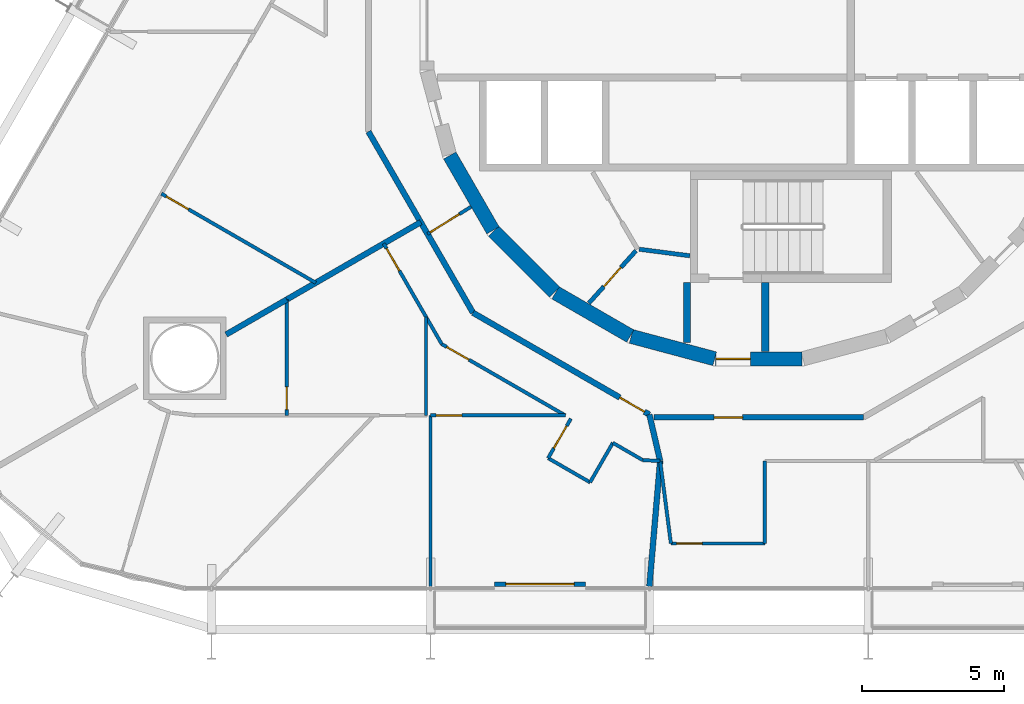
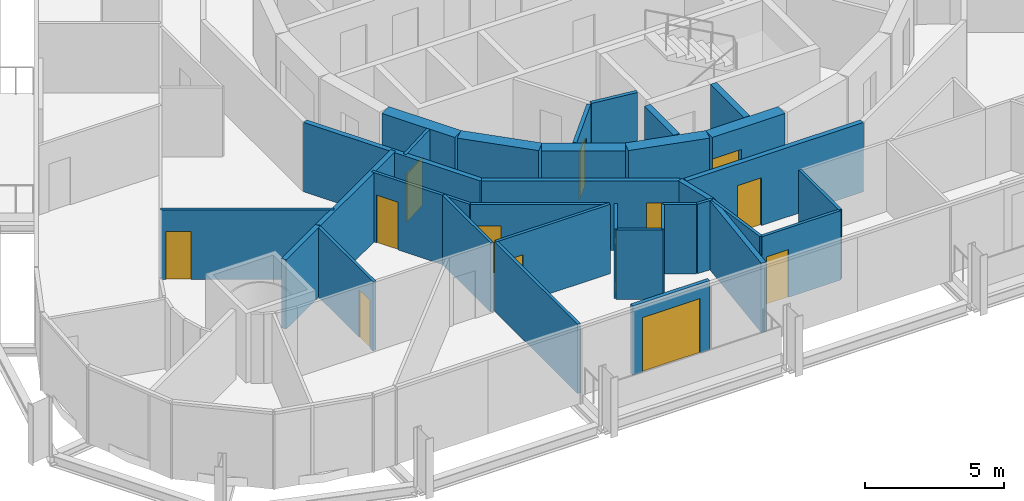
# One storey, part 13 of 20: 33 walls, 13 doors, 13 openings.
"""IFC4 building model written with IfcOpenShell, lengths in metres."""

from ifc_helpers import new_model, si_unit, direction, frame, frame_2d, origin, place, context, subcontext, project, spatial, rectangle, extrude, material, layer, layer_set, type_object, element, fill, save


model = new_model("IFC4")

# Units and contexts
model_context = context("Model", 3, precision=1e-05, world=origin(), true_north=direction((0.0, 1.0)))
body_context = subcontext(model_context, "Body", "Model", "MODEL_VIEW")
ifc_project = project(units=[si_unit("LENGTHUNIT", "METRE"), si_unit("AREAUNIT", "SQUARE_METRE"), si_unit("VOLUMEUNIT", "CUBIC_METRE"), si_unit("PLANEANGLEUNIT", "RADIAN"), si_unit("MASSUNIT", "GRAM", prefix="KILO")], contexts=[model_context])

# Site, building, storey
site_placement = place(None, origin())
site = spatial("IfcSite", under=ifc_project, at=site_placement, CompositionType="ELEMENT")
building_placement = place(site_placement, origin())
building = spatial("IfcBuilding", under=site, at=building_placement, Name="Spindle Arch Residences", CompositionType="ELEMENT")
storey_placement = place(building_placement, frame((0.0, 0.0, 66.39990234375)))
storey = spatial("IfcBuildingStorey", under=building, at=storey_placement, Name="L15", CompositionType="ELEMENT", Elevation=66.39990234375)

# Walls
ifc_material_1 = material(Name="Concrete C50/60", Category="concrete")
ifc_layer_1 = layer(ifc_material_1, 0.5)
ifc_layer_set_1 = layer_set([ifc_layer_1], Name="Core outline wall 500")
wall_type_1 = type_object("IfcWallType", Name="Core outline wall 500", PredefinedType="SHEAR", material=ifc_layer_set_1)
wall_1_placement = place(storey_placement, frame((-10.84521484375, -4.510498046875, 0.0), z_axis=(0.0, 0.0, 1.0), x_axis=(0.500087131594, -0.865975092491, 0.0)))
element("IfcWall", 1, at=wall_1_placement, inside=storey, type_object=wall_type_1, Name="Core outline wall 20", PredefinedType="SHEAR", context=body_context, shape_type="SweptSolid", body=[
    extrude(rectangle(XDim=3.03271484375, YDim=0.5, at=frame_2d((1.516357421875, 0.0))), origin(), (0.0, 0.0, 1.0), 3.050048828125),
])
wall_2_placement = place(storey_placement, frame((-9.30810546875, -7.163818359375, 0.0), z_axis=(0.0, 0.0, 1.0), x_axis=(0.707106781187, -0.707106781187, 0.0)))
element("IfcWall", 2, at=wall_2_placement, inside=storey, type_object=wall_type_1, Name="Core outline wall 21", PredefinedType="SHEAR", context=body_context, shape_type="SweptSolid", body=[
    extrude(rectangle(XDim=3.032470703125, YDim=0.5, at=frame_2d((1.51611328125, 0.0))), origin(), (0.0, 0.0, 1.0), 3.050048828125),
])
for number, where, z_axis, x_axis, name in (
    (3, (-7.13671875, -9.32861328125, 0.0), (0.0, 0.0, 1.0), (0.865975092491, -0.500087131594, 0.0), "Core outline wall 22"),
    (4, (-4.479248046875, -10.858154296875, 0.0), (0.0, 0.0, 1.0), (0.965948410781, -0.258734743916, 0.0), "Core outline wall 23"),
):
    element("IfcWall", number, at=place(storey_placement, frame(where, z_axis=z_axis, x_axis=x_axis)), inside=storey, type_object=wall_type_1, Name=name, PredefinedType="SHEAR", context=body_context, shape_type="SweptSolid", body=[
        extrude(rectangle(XDim=3.03271484375, YDim=0.5, at=frame_2d((1.516357421875, 0.0))), origin(), (0.0, 0.0, 1.0), 3.050048828125),
    ])

# Wall, opening, door
wall_3_placement = place(storey_placement, frame((-1.516357421875, -11.647216796875, 0.0), z_axis=(0.0, 0.0, 1.0), x_axis=(1.0, 0.0, 0.0)))
wall_3 = element("IfcWall", 5, at=wall_3_placement, inside=storey, type_object=wall_type_1, Name="Core outline wall 24", PredefinedType="SHEAR", context=body_context, shape_type="SweptSolid", body=[
    extrude(rectangle(XDim=3.03271484375, YDim=0.5, at=frame_2d((1.516357421875, 0.0))), origin(), (0.0, 0.0, 1.0), 3.050048828125),
])
opening_1_placement = place(wall_3_placement, frame((0.016357421875, 0.0, 0.0)))
opening_1 = element("IfcOpeningElement", 6, at=opening_1_placement, cuts=wall_3, Name="Opening R1C0-AD03", PredefinedType="OPENING", context=body_context, shape_type="SweptSolid", body=[
    extrude(rectangle(XDim=1.199951171875, YDim=2.10009765625, at=frame_2d((0.60009765625, 1.050048828125))), frame((0.0, 0.260009765625, 0.0), z_axis=(0.0, -1.0, 0.0), x_axis=(1.0, 0.0, 0.0)), (0.0, 0.0, 1.0), 0.52001953125),
])
ifc_material_2 = material(Name="Steel, fire-resisting door", Category="steel")
door_type_1 = type_object("IfcDoorType", Name="Stair airlock door 1200x2100", OperationType="SINGLE_SWING_LEFT", PredefinedType="DOOR", material=ifc_material_2)
door_1_placement = place(opening_1_placement, origin())
door_1 = element("IfcDoor", 7, at=door_1_placement, inside=storey, type_object=door_type_1, Name="Stair airlock door R1C0-AD03", OperationType="SINGLE_SWING_RIGHT", OverallHeight=2.10009765625, OverallWidth=1.199951171875, PredefinedType="DOOR", context=body_context, shape_type="SweptSolid", body=[
    extrude(rectangle(XDim=1.199951171875, YDim=2.10009765625, at=frame_2d((0.60009765625, 1.050048828125))), frame((0.0, 0.02490234375, 0.0), z_axis=(0.0, -1.0, 0.0), x_axis=(1.0, 0.0, 0.0)), (0.0, 0.0, 1.0), 0.050048828125),
])
fill(opening_1, door_1)

ifc_material_3 = material(Name="Plasterboard on steel studs", Category="steel")
ifc_layer_2 = layer(ifc_material_3, 0.1201171875)
ifc_layer_set_2 = layer_set([ifc_layer_2], Name="Corridor division wall 120")
wall_type_2 = type_object("IfcWallType", Name="Corridor division wall 120", PredefinedType="PARTITIONING", material=ifc_layer_set_2)
wall_4_placement = place(storey_placement, frame((-11.625244140625, -7.264404296875, 0.0), z_axis=(0.0, 0.0, 1.0), x_axis=(0.84803632456, 0.529938102259, 0.0)))
wall_4 = element("IfcWall", 8, at=wall_4_placement, inside=storey, type_object=wall_type_2, Name="Corridor division wall R1C0-W003", PredefinedType="PARTITIONING", context=body_context, shape_type="SweptSolid", body=[
    extrude(rectangle(XDim=1.8037109375, YDim=0.1201171875, at=frame_2d((0.90185546875, 0.0))), origin(), (0.0, 0.0, 1.0), 3.050048828125),
])
opening_2_placement = place(wall_4_placement, frame((0.110107421875, 0.0, 0.0)))
opening_2 = element("IfcOpeningElement", 9, at=opening_2_placement, cuts=wall_4, Name="Opening R1C0-CD03", PredefinedType="OPENING", context=body_context, shape_type="SweptSolid", body=[
    extrude(rectangle(XDim=1.199951171875, YDim=2.10009765625, at=frame_2d((0.60009765625, 1.050048828125))), frame((0.0, 0.070068359375, 0.0), z_axis=(0.0, -1.0, 0.0), x_axis=(1.0, 0.0, 0.0)), (0.0, 0.0, 1.0), 0.14013671875),
])
ifc_material_4 = material(Name="Steel, fire-resisting door", Category="steel")
door_type_2 = type_object("IfcDoorType", Name="Corridor division door 1200x2100", OperationType="NOTDEFINED", PredefinedType="DOOR", material=ifc_material_4)
door_2_placement = place(opening_2_placement, origin())
door_2 = element("IfcDoor", 10, at=door_2_placement, inside=storey, type_object=door_type_2, Name="Corridor division door R1C0-CD03", OperationType="DOUBLE_DOOR_SINGLE_SWING", OverallHeight=2.10009765625, OverallWidth=1.199951171875, PredefinedType="DOOR", context=body_context, shape_type="SweptSolid", body=[
    extrude(rectangle(XDim=1.199951171875, YDim=2.10009765625, at=frame_2d((0.60009765625, 1.050048828125))), frame((0.0, 0.02490234375, 0.0), z_axis=(0.0, -1.0, 0.0), x_axis=(1.0, 0.0, 0.0)), (0.0, 0.0, 1.0), 0.050048828125),
])
fill(opening_2, door_2)

# Wall
ifc_material_5 = material(Name="Calcium silicate block, plastered")
ifc_layer_3 = layer(ifc_material_5, 0.199951171875)
ifc_layer_set_3 = layer_set([ifc_layer_3], Name="Corridor wall 200")
wall_type_3 = type_object("IfcWallType", Name="Corridor wall 200", PredefinedType="STANDARD", material=ifc_layer_set_3)
wall_5_placement = place(storey_placement, frame((-13.699951171875, -3.6708984375, 0.0), z_axis=(0.0, 0.0, 1.0), x_axis=(0.500001669485, -0.866024439905, 0.0)))
element("IfcWall", 11, at=wall_5_placement, inside=storey, type_object=wall_type_3, Name="Corridor wall R1C0-W012", PredefinedType="STANDARD", context=body_context, shape_type="SweptSolid", body=[
    extrude(rectangle(XDim=7.341796875, YDim=0.199951171875, at=frame_2d((3.6708984375, 0.0))), origin(), (0.0, 0.0, 1.0), 3.050048828125),
])

# Wall, opening, door
wall_6_placement = place(storey_placement, frame((-10.029052734375, -10.029052734375, 0.0), z_axis=(0.0, 0.0, 1.0), x_axis=(0.866022878987, -0.500004373052, 0.0)))
wall_6 = element("IfcWall", 12, at=wall_6_placement, inside=storey, type_object=wall_type_3, Name="Corridor wall R1C0-W013", PredefinedType="STANDARD", context=body_context, shape_type="SweptSolid", body=[
    extrude(rectangle(XDim=7.146484375, YDim=0.199951171875, at=frame_2d((3.5732421875, 0.0))), origin(), (0.0, 0.0, 1.0), 3.050048828125),
])
opening_3_placement = place(wall_6_placement, frame((5.946533203125, 0.0, 0.0)))
opening_3 = element("IfcOpeningElement", 13, at=opening_3_placement, cuts=wall_6, Name="Opening R1C0-FD04", PredefinedType="OPENING", context=body_context, shape_type="SweptSolid", body=[
    extrude(rectangle(XDim=1.0, YDim=2.10009765625, at=frame_2d((0.5, 1.050048828125))), frame((0.0, 0.10986328125, 0.0), z_axis=(0.0, -1.0, 0.0), x_axis=(1.0, 0.0, 0.0)), (0.0, 0.0, 1.0), 0.219970703125),
])
ifc_material_6 = material(Name="Timber, fire-resisting door set", Category="wood")
door_type_3 = type_object("IfcDoorType", Name="Flat entrance door 1000x2100", OperationType="NOTDEFINED", PredefinedType="DOOR", material=ifc_material_6)
door_3_placement = place(opening_3_placement, origin())
door_3 = element("IfcDoor", 14, at=door_3_placement, inside=storey, type_object=door_type_3, Name="Flat entrance door R1C0-FD04", OperationType="SINGLE_SWING_LEFT", OverallHeight=2.10009765625, OverallWidth=1.0, PredefinedType="DOOR", context=body_context, shape_type="SweptSolid", body=[
    extrude(rectangle(XDim=1.0, YDim=2.10009765625, at=frame_2d((0.5, 1.050048828125))), frame((0.0, 0.02490234375, 0.0), z_axis=(0.0, -1.0, 0.0), x_axis=(1.0, 0.0, 0.0)), (0.0, 0.0, 1.0), 0.050048828125),
])
fill(opening_3, door_3)

wall_7_placement = place(storey_placement, frame((-3.6708984375, -13.699951171875, 0.0), z_axis=(0.0, 0.0, 1.0), x_axis=(1.0, 0.0, 0.0)))
wall_7 = element("IfcWall", 15, at=wall_7_placement, inside=storey, type_object=wall_type_3, Name="Corridor wall R1C0-W014", PredefinedType="STANDARD", context=body_context, shape_type="SweptSolid", body=[
    extrude(rectangle(XDim=7.341796875, YDim=0.199951171875, at=frame_2d((3.6708984375, 0.0))), origin(), (0.0, 0.0, 1.0), 3.050048828125),
])
opening_4_placement = place(wall_7_placement, frame((2.10009765625, 0.0, 0.0)))
opening_4 = element("IfcOpeningElement", 16, at=opening_4_placement, cuts=wall_7, Name="Opening R1C0-FD05", PredefinedType="OPENING", context=body_context, shape_type="SweptSolid", body=[
    extrude(rectangle(XDim=1.0, YDim=2.10009765625, at=frame_2d((0.5, 1.050048828125))), frame((0.0, 0.10986328125, 0.0), z_axis=(0.0, -1.0, 0.0), x_axis=(1.0, 0.0, 0.0)), (0.0, 0.0, 1.0), 0.219970703125),
])
door_4_placement = place(opening_4_placement, origin())
door_4 = element("IfcDoor", 17, at=door_4_placement, inside=storey, type_object=door_type_3, Name="Flat entrance door R1C0-FD05", OperationType="SINGLE_SWING_LEFT", OverallHeight=2.10009765625, OverallWidth=1.0, PredefinedType="DOOR", context=body_context, shape_type="SweptSolid", body=[
    extrude(rectangle(XDim=1.0, YDim=2.10009765625, at=frame_2d((0.5, 1.050048828125))), frame((0.0, 0.02490234375, 0.0), z_axis=(0.0, -1.0, 0.0), x_axis=(1.0, 0.0, 0.0)), (0.0, 0.0, 1.0), 0.050048828125),
])
fill(opening_4, door_4)

ifc_material_7 = material(Name="Plasterboard on steel studs", Category="steel")
ifc_layer_4 = layer(ifc_material_7, 0.1201171875)
ifc_layer_set_4 = layer_set([ifc_layer_4], Name="Flat partition 120")
wall_type_4 = type_object("IfcWallType", Name="Flat partition 120", PredefinedType="PARTITIONING", material=ifc_layer_set_4)
wall_8_placement = place(storey_placement, frame((-20.96337890625, -5.849853515625, 0.0), z_axis=(0.0, 0.0, 1.0), x_axis=(0.866021746608, -0.500006334362, 0.0)))
wall_8 = element("IfcWall", 18, at=wall_8_placement, inside=storey, type_object=wall_type_4, Name="Flat partition R1C0-W070", PredefinedType="PARTITIONING", context=body_context, shape_type="SweptSolid", body=[
    extrude(rectangle(XDim=6.25341796875, YDim=0.1201171875, at=frame_2d((3.126708984375, 0.0))), origin(), (0.0, 0.0, 1.0), 3.050048828125),
])
opening_5_placement = place(wall_8_placement, frame((0.199951171875, 0.0, 0.0)))
opening_5 = element("IfcOpeningElement", 19, at=opening_5_placement, cuts=wall_8, Name="Opening R1C0-ID14", PredefinedType="OPENING", context=body_context, shape_type="SweptSolid", body=[
    extrude(rectangle(XDim=0.89990234375, YDim=2.10009765625, at=frame_2d((0.449951171875, 1.050048828125))), frame((0.0, 0.070068359375, 0.0), z_axis=(0.0, -1.0, 0.0), x_axis=(1.0, 0.0, 0.0)), (0.0, 0.0, 1.0), 0.14013671875),
])
ifc_material_8 = material(Name="Timber door set", Category="wood")
door_type_4 = type_object("IfcDoorType", Name="Room door 900x2100", OperationType="NOTDEFINED", PredefinedType="DOOR", material=ifc_material_8)
door_5_placement = place(opening_5_placement, origin())
door_5 = element("IfcDoor", 20, at=door_5_placement, inside=storey, type_object=door_type_4, Name="Room door R1C0-ID14", OperationType="SINGLE_SWING_RIGHT", OverallHeight=2.10009765625, OverallWidth=0.89990234375, PredefinedType="DOOR", context=body_context, shape_type="SweptSolid", body=[
    extrude(rectangle(XDim=0.89990234375, YDim=2.10009765625, at=frame_2d((0.449951171875, 1.050048828125))), frame((0.0, 0.02490234375, 0.0), z_axis=(0.0, -1.0, 0.0), x_axis=(1.0, 0.0, 0.0)), (0.0, 0.0, 1.0), 0.050048828125),
])
fill(opening_5, door_5)

wall_9_placement = place(storey_placement, frame((-13.16357421875, -7.60009765625, 0.0), z_axis=(0.0, 0.0, 1.0), x_axis=(0.500000928893, -0.866024867487, 0.0)))
wall_9 = element("IfcWall", 21, at=wall_9_placement, inside=storey, type_object=wall_type_4, Name="Flat partition R1C0-W079", PredefinedType="PARTITIONING", context=body_context, shape_type="SweptSolid", body=[
    extrude(rectangle(XDim=4.07275390625, YDim=0.1201171875, at=frame_2d((2.036376953125, 0.0))), origin(), (0.0, 0.0, 1.0), 3.050048828125),
])
opening_6_placement = place(wall_9_placement, frame((0.199951171875, 0.0, 0.0)))
opening_6 = element("IfcOpeningElement", 22, at=opening_6_placement, cuts=wall_9, Name="Opening R1C0-ID17", PredefinedType="OPENING", context=body_context, shape_type="SweptSolid", body=[
    extrude(rectangle(XDim=0.89990234375, YDim=2.10009765625, at=frame_2d((0.449951171875, 1.050048828125))), frame((0.0, 0.070068359375, 0.0), z_axis=(0.0, -1.0, 0.0), x_axis=(1.0, 0.0, 0.0)), (0.0, 0.0, 1.0), 0.14013671875),
])
door_6_placement = place(opening_6_placement, origin())
door_6 = element("IfcDoor", 23, at=door_6_placement, inside=storey, type_object=door_type_4, Name="Room door R1C0-ID17", OperationType="SINGLE_SWING_LEFT", OverallHeight=2.10009765625, OverallWidth=0.89990234375, PredefinedType="DOOR", context=body_context, shape_type="SweptSolid", body=[
    extrude(rectangle(XDim=0.89990234375, YDim=2.10009765625, at=frame_2d((0.449951171875, 1.050048828125))), frame((0.0, 0.02490234375, 0.0), z_axis=(0.0, -1.0, 0.0), x_axis=(1.0, 0.0, 0.0)), (0.0, 0.0, 1.0), 0.050048828125),
])
fill(opening_6, door_6)

wall_10_placement = place(storey_placement, frame((-11.127197265625, -11.127197265625, 0.0), z_axis=(0.0, 0.0, 1.0), x_axis=(0.866034514313, -0.499984219769, 0.0)))
wall_10 = element("IfcWall", 24, at=wall_10_placement, inside=storey, type_object=wall_type_4, Name="Flat partition R1C0-W080", PredefinedType="PARTITIONING", context=body_context, shape_type="SweptSolid", body=[
    extrude(rectangle(XDim=5.005615234375, YDim=0.1201171875, at=frame_2d((2.5029296875, 0.0))), origin(), (0.0, 0.0, 1.0), 3.050048828125),
])
opening_7_placement = place(wall_10_placement, frame((0.199951171875, 0.0, 0.0)))
opening_7 = element("IfcOpeningElement", 25, at=opening_7_placement, cuts=wall_10, Name="Opening R1C0-ID18", PredefinedType="OPENING", context=body_context, shape_type="SweptSolid", body=[
    extrude(rectangle(XDim=0.89990234375, YDim=2.10009765625, at=frame_2d((0.449951171875, 1.050048828125))), frame((0.0, 0.070068359375, 0.0), z_axis=(0.0, -1.0, 0.0), x_axis=(1.0, 0.0, 0.0)), (0.0, 0.0, 1.0), 0.14013671875),
])
door_7_placement = place(opening_7_placement, origin())
door_7 = element("IfcDoor", 26, at=door_7_placement, inside=storey, type_object=door_type_4, Name="Room door R1C0-ID18", OperationType="SINGLE_SWING_LEFT", OverallHeight=2.10009765625, OverallWidth=0.89990234375, PredefinedType="DOOR", context=body_context, shape_type="SweptSolid", body=[
    extrude(rectangle(XDim=0.89990234375, YDim=2.10009765625, at=frame_2d((0.449951171875, 1.050048828125))), frame((0.0, 0.02490234375, 0.0), z_axis=(0.0, -1.0, 0.0), x_axis=(1.0, 0.0, 0.0)), (0.0, 0.0, 1.0), 0.050048828125),
])
fill(opening_7, door_7)

wall_11_placement = place(storey_placement, frame((-6.593994140625, -13.744384765625, 0.0), z_axis=(0.0, 0.0, 1.0), x_axis=(-0.499947031044, -0.866055983265, 0.0)))
wall_11 = element("IfcWall", 27, at=wall_11_placement, inside=storey, type_object=wall_type_4, Name="Flat partition R1C0-W081", PredefinedType="PARTITIONING", context=body_context, shape_type="SweptSolid", body=[
    extrude(rectangle(XDim=1.599853515625, YDim=0.1201171875, at=frame_2d((0.7998046875, 0.0))), origin(), (0.0, 0.0, 1.0), 3.050048828125),
])
opening_8_placement = place(wall_11_placement, frame((0.300048828125, 0.0, 0.0)))
opening_8 = element("IfcOpeningElement", 28, at=opening_8_placement, cuts=wall_11, Name="Opening R1C0-ID19", PredefinedType="OPENING", context=body_context, shape_type="SweptSolid", body=[
    extrude(rectangle(XDim=0.89990234375, YDim=2.10009765625, at=frame_2d((0.449951171875, 1.050048828125))), frame((0.0, 0.070068359375, 0.0), z_axis=(0.0, -1.0, 0.0), x_axis=(1.0, 0.0, 0.0)), (0.0, 0.0, 1.0), 0.14013671875),
])
door_8_placement = place(opening_8_placement, origin())
door_8 = element("IfcDoor", 29, at=door_8_placement, inside=storey, type_object=door_type_4, Name="Room door R1C0-ID19", OperationType="SINGLE_SWING_RIGHT", OverallHeight=2.10009765625, OverallWidth=0.89990234375, PredefinedType="DOOR", context=body_context, shape_type="SweptSolid", body=[
    extrude(rectangle(XDim=0.89990234375, YDim=2.10009765625, at=frame_2d((0.449951171875, 1.050048828125))), frame((0.0, 0.02490234375, 0.0), z_axis=(0.0, -1.0, 0.0), x_axis=(1.0, 0.0, 0.0)), (0.0, 0.0, 1.0), 0.050048828125),
])
fill(opening_8, door_8)

# Walls
wall_12_placement = place(storey_placement, frame((-7.393798828125, -15.1298828125, 0.0), z_axis=(0.0, 0.0, 1.0), x_axis=(0.86605165483, -0.499954529098, 0.0)))
element("IfcWall", 30, at=wall_12_placement, inside=storey, type_object=wall_type_4, Name="Flat partition R1C0-W082", PredefinedType="PARTITIONING", context=body_context, shape_type="SweptSolid", body=[
    extrude(rectangle(XDim=1.699951171875, YDim=0.1201171875, at=frame_2d((0.85009765625, 0.0))), origin(), (0.0, 0.0, 1.0), 3.050048828125),
])
wall_13_placement = place(storey_placement, frame((-5.921630859375, -15.979736328125, 0.0), z_axis=(0.0, 0.0, 1.0), x_axis=(0.500013115284, 0.866017831539, 0.0)))
element("IfcWall", 31, at=wall_13_placement, inside=storey, type_object=wall_type_4, Name="Flat partition R1C0-W083", PredefinedType="PARTITIONING", context=body_context, shape_type="SweptSolid", body=[
    extrude(rectangle(XDim=1.599609375, YDim=0.1201171875, at=frame_2d((0.7998046875, 0.0))), origin(), (0.0, 0.0, 1.0), 3.050048828125),
])
wall_14_placement = place(storey_placement, frame((-5.121826171875, -14.594482421875, 0.0), z_axis=(0.0, 0.0, 1.0), x_axis=(0.86610168388, -0.499867855718, 0.0)))
element("IfcWall", 32, at=wall_14_placement, inside=storey, type_object=wall_type_4, Name="Flat partition R1C0-W084", PredefinedType="PARTITIONING", context=body_context, shape_type="SweptSolid", body=[
    extrude(rectangle(XDim=1.211181640625, YDim=0.1201171875, at=frame_2d((0.60546875, 0.0))), origin(), (0.0, 0.0, 1.0), 3.050048828125),
])
wall_15_placement = place(storey_placement, frame((-4.07275390625, -15.199951171875, 0.0), z_axis=(0.0, 0.0, 1.0), x_axis=(0.99879090756, -0.049160176723, 0.0)))
element("IfcWall", 33, at=wall_15_placement, inside=storey, type_object=wall_type_4, Name="Flat partition R1C0-W085", PredefinedType="PARTITIONING", context=body_context, shape_type="SweptSolid", body=[
    extrude(rectangle(XDim=0.61083984375, YDim=0.1201171875, at=frame_2d((0.305419921875, 0.0))), origin(), (0.0, 0.0, 1.0), 3.050048828125),
])

# Wall, opening, door
wall_16_placement = place(storey_placement, frame((-16.564697265625, -13.6298828125, 0.0), z_axis=(0.0, 0.0, 1.0), x_axis=(0.0, 1.0, 0.0)))
wall_16 = element("IfcWall", 34, at=wall_16_placement, inside=storey, type_object=wall_type_4, Name="Flat partition R1C0-W089", PredefinedType="PARTITIONING", context=body_context, shape_type="SweptSolid", body=[
    extrude(rectangle(XDim=4.066162109375, YDim=0.1201171875, at=frame_2d((2.033203125, 0.0))), origin(), (0.0, 0.0, 1.0), 3.050048828125),
])
opening_9_placement = place(wall_16_placement, frame((0.199951171875, 0.0, 0.0)))
opening_9 = element("IfcOpeningElement", 35, at=opening_9_placement, cuts=wall_16, Name="Opening R1C0-BD05", PredefinedType="OPENING", context=body_context, shape_type="SweptSolid", body=[
    extrude(rectangle(XDim=0.800048828125, YDim=2.10009765625, at=frame_2d((0.39990234375, 1.050048828125))), frame((0.0, 0.070068359375, 0.0), z_axis=(0.0, -1.0, 0.0), x_axis=(1.0, 0.0, 0.0)), (0.0, 0.0, 1.0), 0.14013671875),
])
ifc_material_9 = material(Name="Timber door set", Category="wood")
door_type_5 = type_object("IfcDoorType", Name="Bathroom door 800x2100", OperationType="NOTDEFINED", PredefinedType="DOOR", material=ifc_material_9)
door_9_placement = place(opening_9_placement, origin())
door_9 = element("IfcDoor", 36, at=door_9_placement, inside=storey, type_object=door_type_5, Name="Bathroom door R1C0-BD05", OperationType="SINGLE_SWING_LEFT", OverallHeight=2.10009765625, OverallWidth=0.800048828125, PredefinedType="DOOR", context=body_context, shape_type="SweptSolid", body=[
    extrude(rectangle(XDim=0.800048828125, YDim=2.10009765625, at=frame_2d((0.39990234375, 1.050048828125))), frame((0.0, 0.02490234375, 0.0), z_axis=(0.0, -1.0, 0.0), x_axis=(1.0, 0.0, 0.0)), (0.0, 0.0, 1.0), 0.050048828125),
])
fill(opening_9, door_9)

# Walls
wall_17_placement = place(storey_placement, frame((-11.678466796875, -13.6298828125, 0.0), z_axis=(0.0, 0.0, 1.0), x_axis=(0.0, 1.0, 0.0)))
element("IfcWall", 37, at=wall_17_placement, inside=storey, type_object=wall_type_4, Name="Flat partition R1C0-W092", PredefinedType="PARTITIONING", context=body_context, shape_type="SweptSolid", body=[
    extrude(rectangle(XDim=3.457763671875, YDim=0.1201171875, at=frame_2d((1.72900390625, 0.0))), origin(), (0.0, 0.0, 1.0), 3.050048828125),
])
wall_18_placement = place(storey_placement, frame((-11.52001953125, -19.6298828125, 0.0), z_axis=(0.0, 0.0, 1.0), x_axis=(0.0, 1.0, 0.0)))
element("IfcWall", 38, at=wall_18_placement, inside=storey, type_object=wall_type_4, Name="Flat partition R1C0-W094", PredefinedType="PARTITIONING", context=body_context, shape_type="SweptSolid", body=[
    extrude(rectangle(XDim=6.0, YDim=0.1201171875, at=frame_2d((3.0, 0.0))), origin(), (0.0, 0.0, 1.0), 3.050048828125),
])

# Wall, opening, door
wall_19_placement = place(storey_placement, frame((-11.52001953125, -13.6298828125, 0.0), z_axis=(0.0, 0.0, 1.0), x_axis=(1.0, 0.0, 0.0)))
wall_19 = element("IfcWall", 39, at=wall_19_placement, inside=storey, type_object=wall_type_4, Name="Flat partition R1C0-W095", PredefinedType="PARTITIONING", context=body_context, shape_type="SweptSolid", body=[
    extrude(rectangle(XDim=4.727783203125, YDim=0.1201171875, at=frame_2d((2.36376953125, 0.0))), origin(), (0.0, 0.0, 1.0), 3.050048828125),
])
opening_10_placement = place(wall_19_placement, frame((0.199951171875, 0.0, 0.0)))
opening_10 = element("IfcOpeningElement", 40, at=opening_10_placement, cuts=wall_19, Name="Opening R1C0-ID23", PredefinedType="OPENING", context=body_context, shape_type="SweptSolid", body=[
    extrude(rectangle(XDim=0.89990234375, YDim=2.10009765625, at=frame_2d((0.449951171875, 1.050048828125))), frame((0.0, 0.070068359375, 0.0), z_axis=(0.0, -1.0, 0.0), x_axis=(1.0, 0.0, 0.0)), (0.0, 0.0, 1.0), 0.14013671875),
])
door_10_placement = place(opening_10_placement, origin())
door_10 = element("IfcDoor", 41, at=door_10_placement, inside=storey, type_object=door_type_4, Name="Room door R1C0-ID23", OperationType="SINGLE_SWING_RIGHT", OverallHeight=2.10009765625, OverallWidth=0.89990234375, PredefinedType="DOOR", context=body_context, shape_type="SweptSolid", body=[
    extrude(rectangle(XDim=0.89990234375, YDim=2.10009765625, at=frame_2d((0.449951171875, 1.050048828125))), frame((0.0, 0.02490234375, 0.0), z_axis=(0.0, -1.0, 0.0), x_axis=(1.0, 0.0, 0.0)), (0.0, 0.0, 1.0), 0.050048828125),
])
fill(opening_10, door_10)

# Wall
wall_20_placement = place(storey_placement, frame((-3.462646484375, -15.22998046875, 0.0), z_axis=(0.0, 0.0, 1.0), x_axis=(0.129260547059, -0.991610665016, 0.0)))
element("IfcWall", 42, at=wall_20_placement, inside=storey, type_object=wall_type_4, Name="Flat partition R1C0-W096", PredefinedType="PARTITIONING", context=body_context, shape_type="SweptSolid", body=[
    extrude(rectangle(XDim=2.919921875, YDim=0.1201171875, at=frame_2d((1.4599609375, 0.0))), origin(), (0.0, 0.0, 1.0), 3.050048828125),
])

# Wall, opening, door
wall_21_placement = place(storey_placement, frame((-3.085205078125, -18.12548828125, 0.0), z_axis=(0.0, 0.0, 1.0), x_axis=(1.0, 0.0, 0.0)))
wall_21 = element("IfcWall", 43, at=wall_21_placement, inside=storey, type_object=wall_type_4, Name="Flat partition R1C0-W097", PredefinedType="PARTITIONING", context=body_context, shape_type="SweptSolid", body=[
    extrude(rectangle(XDim=3.300048828125, YDim=0.1201171875, at=frame_2d((1.64990234375, 0.0))), origin(), (0.0, 0.0, 1.0), 3.050048828125),
])
opening_11_placement = place(wall_21_placement, frame((0.199951171875, 0.0, 0.0)))
opening_11 = element("IfcOpeningElement", 44, at=opening_11_placement, cuts=wall_21, Name="Opening R1C0-ID24", PredefinedType="OPENING", context=body_context, shape_type="SweptSolid", body=[
    extrude(rectangle(XDim=0.89990234375, YDim=2.10009765625, at=frame_2d((0.449951171875, 1.050048828125))), frame((0.0, 0.070068359375, 0.0), z_axis=(0.0, -1.0, 0.0), x_axis=(1.0, 0.0, 0.0)), (0.0, 0.0, 1.0), 0.14013671875),
])
door_11_placement = place(opening_11_placement, origin())
door_11 = element("IfcDoor", 45, at=door_11_placement, inside=storey, type_object=door_type_4, Name="Room door R1C0-ID24", OperationType="SINGLE_SWING_LEFT", OverallHeight=2.10009765625, OverallWidth=0.89990234375, PredefinedType="DOOR", context=body_context, shape_type="SweptSolid", body=[
    extrude(rectangle(XDim=0.89990234375, YDim=2.10009765625, at=frame_2d((0.449951171875, 1.050048828125))), frame((0.0, 0.02490234375, 0.0), z_axis=(0.0, -1.0, 0.0), x_axis=(1.0, 0.0, 0.0)), (0.0, 0.0, 1.0), 0.050048828125),
])
fill(opening_11, door_11)

# Walls
wall_22_placement = place(storey_placement, frame((0.21484375, -18.12548828125, 0.0), z_axis=(0.0, 0.0, 1.0), x_axis=(0.0, 1.0, 0.0)))
element("IfcWall", 46, at=wall_22_placement, inside=storey, type_object=wall_type_4, Name="Flat partition R1C0-W098", PredefinedType="PARTITIONING", context=body_context, shape_type="SweptSolid", body=[
    extrude(rectangle(XDim=2.8955078125, YDim=0.1201171875, at=frame_2d((1.44775390625, 0.0))), origin(), (0.0, 0.0, 1.0), 3.050048828125),
])
ifc_material_10 = material(Name="Calcium silicate block, plastered")
ifc_layer_5 = layer(ifc_material_10, 0.199951171875)
ifc_layer_set_5 = layer_set([ifc_layer_5], Name="Flat party wall 200")
wall_type_5 = type_object("IfcWallType", Name="Flat party wall 200", PredefinedType="STANDARD", material=ifc_layer_set_5)
wall_23_placement = place(storey_placement, frame((-16.564697265625, -9.563720703125, 0.0), z_axis=(0.0, 0.0, 1.0), x_axis=(0.866028274568, 0.499995027624, 0.0)))
element("IfcWall", 47, at=wall_23_placement, inside=storey, type_object=wall_type_5, Name="Flat party wall R1C0-W024", PredefinedType="STANDARD", context=body_context, shape_type="SweptSolid", body=[
    extrude(rectangle(XDim=5.42724609375, YDim=0.199951171875, at=frame_2d((2.713623046875, 0.0))), origin(), (0.0, 0.0, 1.0), 3.050048828125),
])
wall_24_placement = place(storey_placement, frame((-18.693603515625, -10.792724609375, 0.0), z_axis=(0.0, 0.0, 1.0), x_axis=(0.866046662726, 0.499963176624, 0.0)))
element("IfcWall", 48, at=wall_24_placement, inside=storey, type_object=wall_type_5, Name="Flat party wall R1C0-W026", PredefinedType="STANDARD", context=body_context, shape_type="SweptSolid", body=[
    extrude(rectangle(XDim=2.458251953125, YDim=0.199951171875, at=frame_2d((1.22900390625, 0.0))), origin(), (0.0, 0.0, 1.0), 3.050048828125),
])
wall_25_placement = place(storey_placement, frame((-3.462646484375, -15.22998046875, 0.0), z_axis=(0.0, 0.0, 1.0), x_axis=(-0.225894501138, 0.974151771725, 0.0)))
element("IfcWall", 49, at=wall_25_placement, inside=storey, type_object=wall_type_5, Name="Flat party wall R1C0-W027", PredefinedType="STANDARD", context=body_context, shape_type="SweptSolid", body=[
    extrude(rectangle(XDim=1.6708984375, YDim=0.199951171875, at=frame_2d((0.83544921875, 0.0))), origin(), (0.0, 0.0, 1.0), 3.050048828125),
])
wall_26_placement = place(storey_placement, frame((-3.840087890625, -19.6298828125, 0.0), z_axis=(0.0, 0.0, 1.0), x_axis=(0.085470135005, 0.996340732893, 0.0)))
element("IfcWall", 50, at=wall_26_placement, inside=storey, type_object=wall_type_5, Name="Flat party wall R1C0-W028", PredefinedType="STANDARD", context=body_context, shape_type="SweptSolid", body=[
    extrude(rectangle(XDim=4.416015625, YDim=0.199951171875, at=frame_2d((2.2080078125, 0.0))), origin(), (0.0, 0.0, 1.0), 3.050048828125),
])

# Wall, opening, door
ifc_material_11 = material(Name="Non-combustible mineral wool insulated aluminium faced external wall (K0)", Category="aluminium")
ifc_layer_6 = layer(ifc_material_11, 0.159912109375)
ifc_layer_set_6 = layer_set([ifc_layer_6], Name="Insulated external wall panel 160")
wall_type_6 = type_object("IfcWallType", Name="Insulated external wall panel 160", PredefinedType="STANDARD", material=ifc_layer_set_6)
wall_27_placement = place(storey_placement, frame((-9.280029296875, -19.5498046875, 0.0), z_axis=(0.0, 0.0, 1.0), x_axis=(1.0, 0.0, 0.0)))
wall_27 = element("IfcWall", 51, at=wall_27_placement, inside=storey, type_object=wall_type_6, Name="External wall L15 bay 23", PredefinedType="STANDARD", context=body_context, shape_type="SweptSolid", body=[
    extrude(rectangle(XDim=3.199951171875, YDim=0.159912109375, at=frame_2d((1.60009765625, 0.0))), origin(), (0.0, 0.0, 1.0), 3.050048828125),
])
opening_12_placement = place(wall_27_placement, frame((0.39990234375, 0.0, 0.0)))
opening_12 = element("IfcOpeningElement", 52, at=opening_12_placement, cuts=wall_27, Name="Opening BD23", PredefinedType="OPENING", context=body_context, shape_type="SweptSolid", body=[
    extrude(rectangle(XDim=2.39990234375, YDim=2.39990234375, at=frame_2d((1.199951171875, 1.199951171875))), frame((0.0, 0.08984375, 0.0), z_axis=(0.0, -1.0, 0.0), x_axis=(1.0, 0.0, 0.0)), (0.0, 0.0, 1.0), 0.179931640625),
])
ifc_material_12 = material(Name="Bronze aluminium frame, tinted double glazing", Category="aluminium")
door_type_6 = type_object("IfcDoorType", Name="Sliding glazed balcony door 2400x2400", OperationType="DOUBLE_DOOR_SLIDING", PredefinedType="DOOR", material=ifc_material_12)
door_12_placement = place(opening_12_placement, origin())
door_12 = element("IfcDoor", 53, at=door_12_placement, inside=storey, type_object=door_type_6, Name="Balcony door BD23", OperationType="DOUBLE_DOOR_SLIDING", OverallHeight=2.39990234375, OverallWidth=2.39990234375, PredefinedType="DOOR", context=body_context, shape_type="SweptSolid", body=[
    extrude(rectangle(XDim=2.39990234375, YDim=2.39990234375, at=frame_2d((1.199951171875, 1.199951171875))), frame((0.0, 0.02490234375, 0.0), z_axis=(0.0, -1.0, 0.0), x_axis=(1.0, 0.0, 0.0)), (0.0, 0.0, 1.0), 0.050048828125),
])
fill(opening_12, door_12)

ifc_material_13 = material(Name="Concrete C25/30", Category="concrete")
ifc_layer_7 = layer(ifc_material_13, 0.14990234375)
ifc_layer_set_7 = layer_set([ifc_layer_7], Name="Service room partition 150")
wall_type_7 = type_object("IfcWallType", Name="Service room partition 150", PredefinedType="PARTITIONING", material=ifc_layer_set_7)
wall_28_placement = place(storey_placement, frame((-4.310791015625, -7.85107421875, 0.0), z_axis=(0.0, 0.0, 1.0), x_axis=(-0.667869133096, -0.744278725383, 0.0)))
wall_28 = element("IfcWall", 54, at=wall_28_placement, inside=storey, type_object=wall_type_7, Name="Core service room partition", PredefinedType="PARTITIONING", context=body_context, shape_type="SweptSolid", body=[
    extrude(rectangle(XDim=2.476318359375, YDim=0.14990234375, at=frame_2d((1.23828125, 0.0))), origin(), (0.0, 0.0, 1.0), 3.050048828125),
])
opening_13_placement = place(wall_28_placement, frame((0.7880859375, 0.0, 0.0)))
opening_13 = element("IfcOpeningElement", 55, at=opening_13_placement, cuts=wall_28, Name="Opening R1C0-WD04", PredefinedType="OPENING", context=body_context, shape_type="SweptSolid", body=[
    extrude(rectangle(XDim=0.89990234375, YDim=2.10009765625, at=frame_2d((0.449951171875, 1.050048828125))), frame((0.0, 0.0849609375, 0.0), z_axis=(0.0, -1.0, 0.0), x_axis=(1.0, 0.0, 0.0)), (0.0, 0.0, 1.0), 0.169921875),
])
ifc_material_14 = material(Name="Steel, fire-resisting door", Category="steel")
door_type_7 = type_object("IfcDoorType", Name="Service room door 900x2100", OperationType="SINGLE_SWING_LEFT", PredefinedType="DOOR", material=ifc_material_14)
door_13_placement = place(opening_13_placement, origin())
door_13 = element("IfcDoor", 56, at=door_13_placement, inside=storey, type_object=door_type_7, Name="Service room door R1C0-WD04", OperationType="SINGLE_SWING_LEFT", OverallHeight=2.10009765625, OverallWidth=0.89990234375, PredefinedType="DOOR", context=body_context, shape_type="SweptSolid", body=[
    extrude(rectangle(XDim=0.89990234375, YDim=2.10009765625, at=frame_2d((0.449951171875, 1.050048828125))), frame((0.0, 0.02490234375, 0.0), z_axis=(0.0, -1.0, 0.0), x_axis=(1.0, 0.0, 0.0)), (0.0, 0.0, 1.0), 0.050048828125),
])
fill(opening_13, door_13)

# Walls
wall_29_placement = place(storey_placement, frame((-4.197998046875, -7.79931640625, 0.0), z_axis=(0.0, 0.0, 1.0), x_axis=(0.991686747293, -0.128675542523, 0.0)))
element("IfcWall", 57, at=wall_29_placement, inside=storey, type_object=wall_type_7, Name="Core service room partition", PredefinedType="PARTITIONING", context=body_context, shape_type="SweptSolid", body=[
    extrude(rectangle(XDim=1.79296875, YDim=0.14990234375, at=frame_2d((0.896484375, 0.0))), origin(), (0.0, 0.0, 1.0), 3.050048828125),
])
ifc_material_15 = material(Name="Concrete C40/50", Category="concrete")
ifc_layer_8 = layer(ifc_material_15, 0.25)
ifc_layer_set_8 = layer_set([ifc_layer_8], Name="Stair airlock wall 250")
wall_type_8 = type_object("IfcWallType", Name="Stair airlock wall 250", PredefinedType="SHEAR", material=ifc_layer_set_8)
wall_30_placement = place(storey_placement, frame((-2.52490234375, -8.969970703125, 0.0), z_axis=(0.0, 0.0, 1.0), x_axis=(0.0, -1.0, 0.0)))
element("IfcWall", 58, at=wall_30_placement, inside=storey, type_object=wall_type_8, Name="Stair ST-3 airlock wall W", PredefinedType="SHEAR", context=body_context, shape_type="SweptSolid", body=[
    extrude(rectangle(XDim=2.110107421875, YDim=0.25, at=frame_2d((1.05517578125, 0.0))), origin(), (0.0, 0.0, 1.0), 3.050048828125),
])
wall_31_placement = place(storey_placement, frame((0.22509765625, -8.969970703125, 0.0), z_axis=(0.0, 0.0, 1.0), x_axis=(0.0, -1.0, 0.0)))
element("IfcWall", 59, at=wall_31_placement, inside=storey, type_object=wall_type_8, Name="Stair ST-3 airlock wall E", PredefinedType="SHEAR", context=body_context, shape_type="SweptSolid", body=[
    extrude(rectangle(XDim=2.409912109375, YDim=0.25, at=frame_2d((1.205078125, 0.0))), origin(), (0.0, 0.0, 1.0), 3.050048828125),
])

save(model, "model.ifc")
